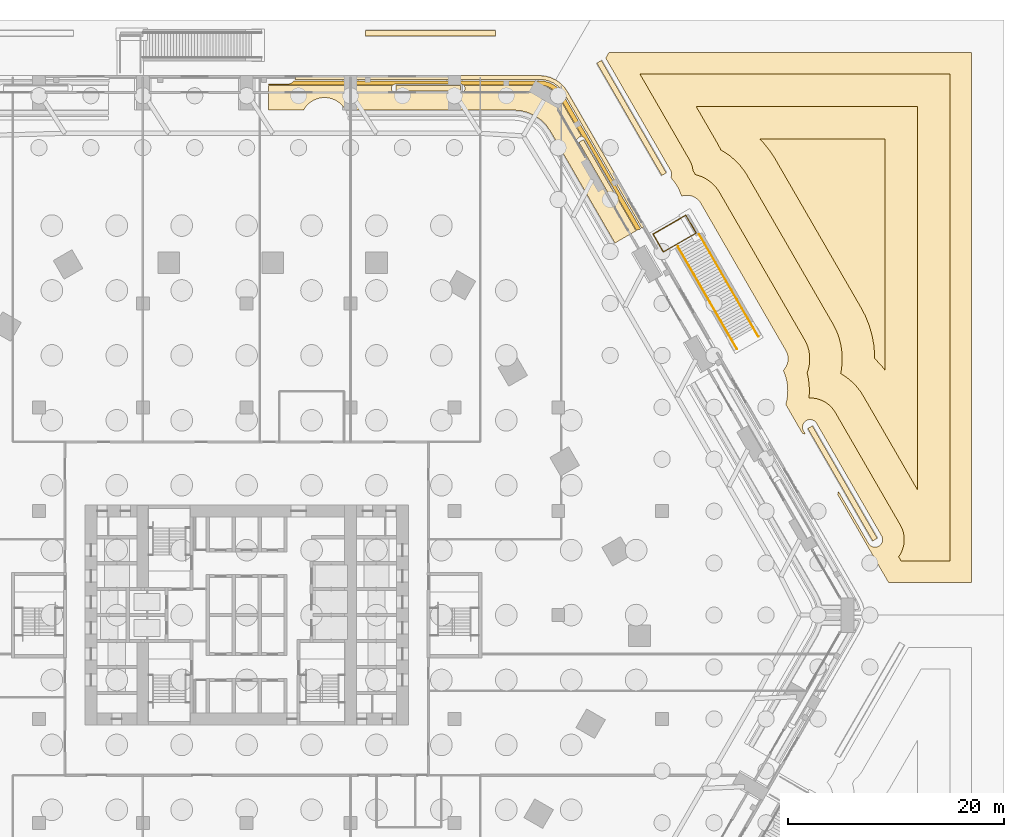
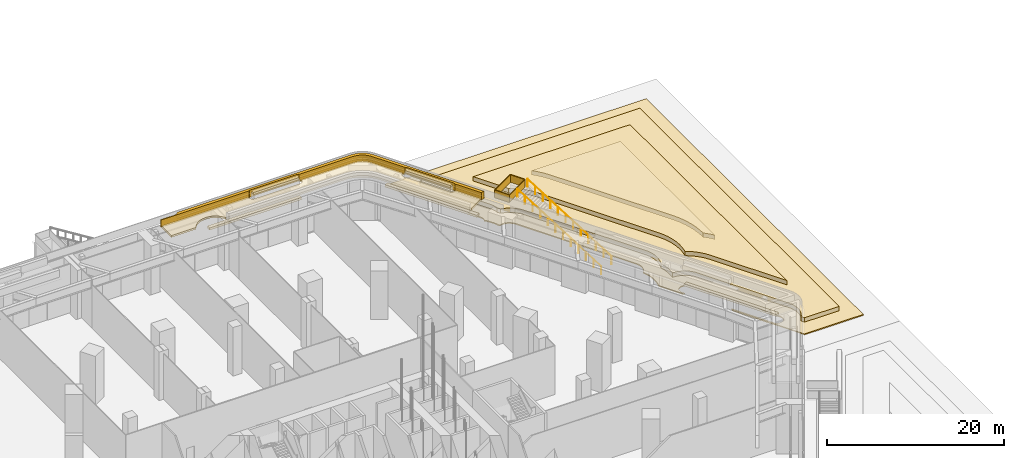
# One storey, part 67 of 68: 12 coverings, 3 railings.
"""IFC4 building model written with IfcOpenShell, lengths in metres."""

from ifc_helpers import new_model, si_unit, direction, frame, frame_2d, origin, origin_2d, place, context, subcontext, project, spatial, polyline, rectangle, circle, outline, extrude, material, layer, layer_set, type_object, element, save


model = new_model("IFC4")

# Units and contexts
model_context = context("Model", 3, precision=1e-05, world=origin(), true_north=direction((0.0, 1.0)))
body_context = subcontext(model_context, "Body", "Model", "MODEL_VIEW")
ifc_project = project(units=[si_unit("LENGTHUNIT", "METRE"), si_unit("AREAUNIT", "SQUARE_METRE"), si_unit("VOLUMEUNIT", "CUBIC_METRE"), si_unit("PLANEANGLEUNIT", "RADIAN"), si_unit("MASSUNIT", "GRAM", prefix="KILO")], contexts=[model_context])

# Site, building, storey
site_placement = place(None, origin())
site = spatial("IfcSite", under=ifc_project, at=site_placement, CompositionType="ELEMENT")
building_placement = place(site_placement, origin())
building = spatial("IfcBuilding", under=site, at=building_placement, Name="Kolab Exchange Tower", CompositionType="ELEMENT")
storey_placement = place(building_placement, origin())
storey = spatial("IfcBuildingStorey", under=building, at=storey_placement, Name="L00", CompositionType="ELEMENT", Elevation=0.0)

# Coverings
ifc_material_1 = material(Name="Planting soil and turf", Category="soil")
ifc_layer_1 = layer(ifc_material_1, 0.60009765625)
ifc_layer_set_1 = layer_set([ifc_layer_1], Name="Planting soil and turf")
covering_type_1 = type_object("IfcCoveringType", Name="GARDEN TERRACE STEP SOIL AND TURF 600", PredefinedType="USERDEFINED", material=ifc_layer_set_1)
covering_1_placement = place(storey_placement, frame((0.0, 0.0, 0.14990234375)))
element("IfcCovering", 1, at=covering_1_placement, inside=storey, type_object=covering_type_1, Name="Garden terrace step", ObjectType="PLANTING", PredefinedType="USERDEFINED", context=body_context, shape_type="SweptSolid", body=[
    extrude(outline(polyline([(36.353515625, 50.0), (65.0, 50.0), (65.0, 5.0), (60.48681640625, 5.0), (60.262939453125, 5.3876953125), (60.372314453125, 5.5458984375), (60.501220703125, 5.777587890625), (60.606689453125, 6.02099609375), (60.687744140625, 6.2734375), (60.743896484375, 6.53271484375), (60.774169921875, 6.796142578125), (60.778564453125, 7.061279296875), (60.7568359375, 7.32568359375), (60.709228515625, 7.586669921875), (60.636474609375, 7.841552734375), (60.5390625, 8.088134765625), (60.4404296875, 8.280517578125), (54.39111328125, 18.7578125), (54.274169921875, 18.939453125), (54.109375, 19.14697265625), (53.9248046875, 19.337646484375), (53.72265625, 19.50927734375), (53.504638671875, 19.66015625), (53.272705078125, 19.7890625), (53.029541015625, 19.89453125), (52.77685546875, 19.9755859375), (52.517822265625, 20.031494140625), (52.254150390625, 20.061767578125), (51.989013671875, 20.066162109375), (51.979736328125, 20.0654296875), (51.984619140625, 20.09716796875), (52.015869140625, 20.734619140625), (51.984619140625, 21.3720703125), (51.890869140625, 22.003173828125), (51.79443359375, 22.387939453125), (51.822021484375, 22.45166015625), (51.92724609375, 22.77880859375), (51.999755859375, 23.11474609375), (52.0390625, 23.456298828125), (52.044677734375, 23.7998046875), (52.0166015625, 24.142333984375), (51.955078125, 24.48046875), (51.860595703125, 24.81103515625), (51.734375, 25.130859375), (51.599853515625, 25.392822265625), (50.375244140625, 27.513671875), (44.917724609375, 36.96630859375), (43.690673828125, 39.091796875), (43.531005859375, 39.33935546875), (43.3173828125, 39.6083984375), (43.078369140625, 39.85546875), (42.816162109375, 40.077880859375), (42.53369140625, 40.2734375), (42.233154296875, 40.4404296875), (41.917724609375, 40.5771484375), (41.590576171875, 40.682373046875), (41.481201171875, 40.705810546875), (41.320068359375, 40.974853515625), (41.260498046875, 41.054931640625), (41.2568359375, 41.1005859375), (41.209228515625, 41.361572265625), (41.136474609375, 41.61669921875), (41.0390625, 41.86328125), (40.9404296875, 42.055419921875), (36.353515625, 50.0)])), origin(), (0.0, 0.0, 1.0), 0.60009765625),
])
covering_2_placement = place(storey_placement, frame((0.0, 0.0, 0.75)))
element("IfcCovering", 2, at=covering_2_placement, inside=storey, type_object=covering_type_1, Name="Garden terrace step", ObjectType="PLANTING", PredefinedType="USERDEFINED", context=body_context, shape_type="SweptSolid", body=[
    extrude(outline(polyline([(41.549560546875, 47.0), (62.0, 47.0), (62.0, 11.578857421875), (56.952392578125, 20.321533203125), (56.715576171875, 20.68896484375), (56.367431640625, 21.12744140625), (55.97802734375, 21.52978515625), (55.551025390625, 21.89208984375), (55.090576171875, 22.2109375), (54.89697265625, 22.318603515625), (54.963134765625, 22.62548828125), (55.0361328125, 23.259765625), (55.046630859375, 23.898193359375), (54.994384765625, 24.534423828125), (54.880126953125, 25.16259765625), (54.704833984375, 25.776611328125), (54.47021484375, 26.370361328125), (54.234619140625, 26.8291015625), (52.973388671875, 29.013671875), (47.515869140625, 38.46630859375), (46.251953125, 40.655517578125), (45.972412109375, 41.0888671875), (45.57568359375, 41.5888671875), (45.131591796875, 42.047607421875), (44.644775390625, 42.460693359375), (44.11962890625, 42.82421875), (43.819091796875, 42.9912109375), (43.77490234375, 43.102783203125), (43.5751953125, 43.49169921875), (41.549560546875, 47.0)])), origin(), (0.0, 0.0, 1.0), 0.60009765625),
])
covering_3_placement = place(storey_placement, frame((0.0, 0.0, 1.35009765625)))
element("IfcCovering", 3, at=covering_3_placement, inside=storey, type_object=covering_type_1, Name="Garden terrace step", ObjectType="PLANTING", PredefinedType="USERDEFINED", context=body_context, shape_type="SweptSolid", body=[
    extrude(outline(polyline([(47.4169921875, 44.0), (59.0, 44.0), (59.0, 22.636474609375), (58.625732421875, 23.10791015625), (58.0439453125, 23.708984375), (58.048583984375, 23.996337890625), (57.972412109375, 24.926513671875), (57.805419921875, 25.8447265625), (57.549072265625, 26.741943359375), (57.2060546875, 27.60986328125), (56.86962890625, 28.26513671875), (55.5712890625, 30.513671875), (50.11376953125, 39.96630859375), (48.813232421875, 42.21923828125), (48.4140625, 42.83837890625), (47.833740234375, 43.5693359375), (47.4169921875, 44.0)])), origin(), (0.0, 0.0, 1.0), 0.599853515625),
])

# Railings
ifc_material_2 = material(Name="Steel S235", Category="steel")
railing_type = type_object("IfcRailingType", Name="GUARD 1100 GLASS BALUSTRADE AND STEEL TOP RAIL", PredefinedType="GUARDRAIL", material=ifc_material_2)
railing_1_placement = place(storey_placement, frame((45.317626953125, 24.59375, 0.175048828125)))
element("IfcRailing", 4, at=railing_1_placement, inside=storey, type_object=railing_type, Name="Stair guard", PredefinedType="GUARDRAIL", context=body_context, shape_type="SweptSolid", body=[
    extrude(circle(Radius=0.02490234375, at=origin_2d()), frame((0.0, 0.0, 1.0751953125), z_axis=(-0.423996697712, 0.73439170464, 0.52999587214), x_axis=(-0.866027727466, -0.499995975244, 0.0)), (0.0, 0.0, 1.0), 12.87744140625),
    extrude(circle(Radius=0.02001953125, at=origin_2d()), origin(), (0.0, 0.0, 1.0), 1.050048828125),
    extrude(circle(Radius=0.02001953125, at=origin_2d()), frame((-0.496337890625, 0.859619140625, 0.620361328125)), (0.0, 0.0, 1.0), 1.050048828125),
    extrude(circle(Radius=0.02001953125, at=origin_2d()), frame((-0.99267578125, 1.719482421875, 1.240966796875)), (0.0, 0.0, 1.0), 1.050048828125),
    extrude(circle(Radius=0.02001953125, at=origin_2d()), frame((-1.489013671875, 2.5791015625, 1.861328125)), (0.0, 0.0, 1.0), 1.050048828125),
    extrude(circle(Radius=0.02001953125, at=origin_2d()), frame((-1.9853515625, 3.43896484375, 2.481689453125)), (0.0, 0.0, 1.0), 1.050048828125),
    extrude(circle(Radius=0.02001953125, at=origin_2d()), frame((-2.481689453125, 4.298583984375, 3.102294921875)), (0.0, 0.0, 1.0), 1.050048828125),
    extrude(circle(Radius=0.02001953125, at=origin_2d()), frame((-2.978271484375, 5.158447265625, 3.72265625)), (0.0, 0.0, 1.0), 1.050048828125),
    extrude(circle(Radius=0.02001953125, at=origin_2d()), frame((-3.474609375, 6.01806640625, 4.34326171875)), (0.0, 0.0, 1.0), 1.050048828125),
    extrude(circle(Radius=0.02001953125, at=origin_2d()), frame((-3.970947265625, 6.8779296875, 4.963623046875)), (0.0, 0.0, 1.0), 1.050048828125),
    extrude(circle(Radius=0.02001953125, at=origin_2d()), frame((-4.46728515625, 7.737548828125, 5.583984375)), (0.0, 0.0, 1.0), 1.050048828125),
    extrude(circle(Radius=0.02001953125, at=origin_2d()), frame((-4.963623046875, 8.597412109375, 6.20458984375)), (0.0, 0.0, 1.0), 1.050048828125),
    extrude(circle(Radius=0.02001953125, at=origin_2d()), frame((-5.4599609375, 9.45703125, 6.824951171875)), (0.0, 0.0, 1.0), 1.050048828125),
])
railing_2_placement = place(storey_placement, frame((47.292236328125, 25.733642578125, 0.175048828125)))
element("IfcRailing", 5, at=railing_2_placement, inside=storey, type_object=railing_type, Name="Stair guard", PredefinedType="GUARDRAIL", context=body_context, shape_type="SweptSolid", body=[
    extrude(circle(Radius=0.02490234375, at=origin_2d()), frame((0.0, 0.0, 1.0751953125), z_axis=(-0.424012248117, 0.734385801165, 0.52999161172), x_axis=(-0.866018046521, -0.500012742938, 0.0)), (0.0, 0.0, 1.0), 12.87744140625),
    extrude(circle(Radius=0.02001953125, at=origin_2d()), origin(), (0.0, 0.0, 1.0), 1.050048828125),
    extrude(circle(Radius=0.02001953125, at=origin_2d()), frame((-0.496337890625, 0.859619140625, 0.620361328125)), (0.0, 0.0, 1.0), 1.050048828125),
    extrude(circle(Radius=0.02001953125, at=origin_2d()), frame((-0.99267578125, 1.719482421875, 1.240966796875)), (0.0, 0.0, 1.0), 1.050048828125),
    extrude(circle(Radius=0.02001953125, at=origin_2d()), frame((-1.4892578125, 2.5791015625, 1.861328125)), (0.0, 0.0, 1.0), 1.050048828125),
    extrude(circle(Radius=0.02001953125, at=origin_2d()), frame((-1.985595703125, 3.43896484375, 2.481689453125)), (0.0, 0.0, 1.0), 1.050048828125),
    extrude(circle(Radius=0.02001953125, at=origin_2d()), frame((-2.48193359375, 4.298583984375, 3.102294921875)), (0.0, 0.0, 1.0), 1.050048828125),
    extrude(circle(Radius=0.02001953125, at=origin_2d()), frame((-2.978271484375, 5.158447265625, 3.72265625)), (0.0, 0.0, 1.0), 1.050048828125),
    extrude(circle(Radius=0.02001953125, at=origin_2d()), frame((-3.474609375, 6.01806640625, 4.34326171875)), (0.0, 0.0, 1.0), 1.050048828125),
    extrude(circle(Radius=0.02001953125, at=origin_2d()), frame((-3.970947265625, 6.8779296875, 4.963623046875)), (0.0, 0.0, 1.0), 1.050048828125),
    extrude(circle(Radius=0.02001953125, at=origin_2d()), frame((-4.467529296875, 7.737548828125, 5.583984375)), (0.0, 0.0, 1.0), 1.050048828125),
    extrude(circle(Radius=0.02001953125, at=origin_2d()), frame((-4.9638671875, 8.597412109375, 6.20458984375)), (0.0, 0.0, 1.0), 1.050048828125),
    extrude(circle(Radius=0.02001953125, at=origin_2d()), frame((-5.460205078125, 9.45703125, 6.824951171875)), (0.0, 0.0, 1.0), 1.050048828125),
])
railing_3_placement = place(storey_placement, frame((37.5615234375, 35.207763671875, 7.0)))
element("IfcRailing", 6, at=railing_3_placement, inside=storey, type_object=railing_type, Name="Landing guard", PredefinedType="GUARDRAIL", context=body_context, shape_type="SweptSolid", body=[
    extrude(rectangle(XDim=0.05, YDim=0.05, at=origin_2d()), frame((0.0, 0.0, 1.0751953125), z_axis=(0.866019471182, 0.500010275428, 0.0), x_axis=(-0.500010275428, 0.866019471182, 0.0)), (0.0, 0.0, 1.0), 3.5),
    extrude(rectangle(XDim=0.012, YDim=1.05009765625, at=frame_2d((0.0, 0.525146484375))), frame((0.0, 0.0, 0.0), z_axis=(0.866019471182, 0.500010275428, 0.0), x_axis=(-0.500010275428, 0.866019471182, 0.0)), (0.0, 0.0, 1.0), 3.5),
    extrude(rectangle(XDim=0.05, YDim=0.05, at=origin_2d()), frame((3.031005859375, 1.75, 1.0751953125), z_axis=(0.50002564956, -0.866010594497, 0.0), x_axis=(0.866010594497, 0.50002564956, 0.0)), (0.0, 0.0, 1.0), 1.9052734375),
    extrude(rectangle(XDim=0.012, YDim=1.05009765625, at=frame_2d((0.0, 0.525146484375))), frame((3.031005859375, 1.75, 0.0), z_axis=(0.50002564956, -0.866010594497, 0.0), x_axis=(0.866010594497, 0.50002564956, 0.0)), (0.0, 0.0, 1.0), 1.9052734375),
    extrude(rectangle(XDim=0.05, YDim=0.05, at=origin_2d()), frame((3.983642578125, 0.10009765625, 1.0751953125), z_axis=(-0.866036909293, -0.499980071345, 0.0), x_axis=(0.499980071345, -0.866036909293, 0.0)), (0.0, 0.0, 1.0), 3.500244140625),
    extrude(rectangle(XDim=0.012, YDim=1.05009765625, at=frame_2d((0.0, 0.525146484375))), frame((3.983642578125, 0.10009765625, 0.0), z_axis=(-0.866036909293, -0.499980071345, 0.0), x_axis=(0.499980071345, -0.866036909293, 0.0)), (0.0, 0.0, 1.0), 3.500244140625),
    extrude(rectangle(XDim=0.05, YDim=0.05, at=origin_2d()), frame((0.952392578125, -1.64990234375, 1.0751953125), z_axis=(-0.499929534118, 0.866066083458, 0.0), x_axis=(-0.866066083458, -0.499929534118, 0.0)), (0.0, 0.0, 1.0), 1.905029296875),
    extrude(rectangle(XDim=0.012, YDim=1.05009765625, at=frame_2d((0.0, 0.525146484375))), frame((0.952392578125, -1.64990234375, 0.0), z_axis=(-0.499929534118, 0.866066083458, 0.0), x_axis=(-0.866066083458, -0.499929534118, 0.0)), (0.0, 0.0, 1.0), 1.905029296875),
])

# Coverings
ifc_layer_2 = layer(ifc_material_1, 0.25)
ifc_layer_set_2 = layer_set([ifc_layer_2], Name="Planting soil and turf")
covering_type_2 = type_object("IfcCoveringType", Name="PLANTING SOIL AND TURF 250", PredefinedType="USERDEFINED", material=ifc_layer_set_2)
covering_4_placement = place(storey_placement, frame((0.0, 0.0, 7.0)))
element("IfcCovering", 7, at=covering_4_placement, inside=storey, type_object=covering_type_2, Name="Planting soil and turf", ObjectType="PLANTING", PredefinedType="USERDEFINED", context=body_context, shape_type="SweptSolid", body=[
    extrude(outline(polyline([(13.47021484375, 48.93310546875), (13.449462890625, 48.9052734375), (13.429443359375, 48.87158203125), (13.41259765625, 48.836181640625), (13.3994140625, 48.799072265625), (13.389892578125, 48.760986328125), (13.384033203125, 48.72216796875), (13.382080078125, 48.68310546875), (13.384033203125, 48.643798828125), (13.389892578125, 48.60498046875), (13.3994140625, 48.56689453125), (13.41259765625, 48.530029296875), (13.429443359375, 48.494384765625), (13.449462890625, 48.4609375), (13.472900390625, 48.42919921875), (13.499267578125, 48.400146484375), (13.5283203125, 48.373779296875), (13.559814453125, 48.3505859375), (13.593505859375, 48.330322265625), (13.629150390625, 48.3134765625), (13.666015625, 48.30029296875), (13.7041015625, 48.290771484375), (13.742919921875, 48.284912109375), (13.7822265625, 48.282958984375), (19.7822265625, 48.282958984375), (19.8212890625, 48.284912109375), (19.860107421875, 48.290771484375), (19.898193359375, 48.30029296875), (19.935302734375, 48.3134765625), (19.970703125, 48.330322265625), (20.00439453125, 48.3505859375), (20.035888671875, 48.373779296875), (20.06494140625, 48.400146484375), (20.09130859375, 48.42919921875), (20.11474609375, 48.4609375), (20.135009765625, 48.494384765625), (20.151611328125, 48.530029296875), (20.164794921875, 48.56689453125), (20.174560546875, 48.60498046875), (20.18017578125, 48.643798828125), (20.18212890625, 48.68310546875), (20.18017578125, 48.72216796875), (20.174560546875, 48.760986328125), (20.164794921875, 48.799072265625), (20.151611328125, 48.836181640625), (20.135009765625, 48.87158203125), (20.11474609375, 48.9052734375), (20.09423828125, 48.93310546875), (27.0263671875, 48.93310546875), (27.42333984375, 48.8984375), (27.767822265625, 48.805908203125), (28.091064453125, 48.6552734375), (28.38330078125, 48.45068359375), (28.635498046875, 48.198486328125), (28.864013671875, 47.8720703125), (30.976806640625, 44.212646484375), (30.9423828125, 44.216552734375), (30.9033203125, 44.21728515625), (30.864013671875, 44.214111328125), (30.825439453125, 44.20703125), (30.787841796875, 44.1962890625), (30.751220703125, 44.181884765625), (30.71630859375, 44.163818359375), (30.683349609375, 44.142578125), (30.652587890625, 44.1181640625), (30.624267578125, 44.091064453125), (30.598876953125, 44.06103515625), (30.57666015625, 44.02880859375), (30.5576171875, 43.994384765625), (30.5419921875, 43.95849609375), (30.530029296875, 43.921142578125), (30.521728515625, 43.882568359375), (30.51708984375, 43.84375), (30.5166015625, 43.804443359375), (30.519775390625, 43.765380859375), (30.52685546875, 43.7265625), (30.53759765625, 43.68896484375), (30.552001953125, 43.65234375), (30.56982421875, 43.617431640625), (33.56982421875, 38.42138671875), (33.591064453125, 38.388427734375), (33.615478515625, 38.357666015625), (33.642822265625, 38.329345703125), (33.6728515625, 38.303955078125), (33.705078125, 38.28173828125), (33.739501953125, 38.2626953125), (33.775390625, 38.2470703125), (33.812744140625, 38.235107421875), (33.85107421875, 38.226806640625), (33.89013671875, 38.22216796875), (33.929443359375, 38.2216796875), (33.968505859375, 38.224853515625), (34.007080078125, 38.231689453125), (34.044921875, 38.24267578125), (34.081298828125, 38.257080078125), (34.1162109375, 38.27490234375), (34.1494140625, 38.296142578125), (34.179931640625, 38.320556640625), (34.208251953125, 38.347900390625), (34.233642578125, 38.3779296875), (34.256103515625, 38.41015625), (34.275146484375, 38.4443359375), (34.288818359375, 38.47607421875), (35.997314453125, 35.51708984375), (34.042724609375, 34.388671875), (28.068115234375, 44.737060546875), (27.696533203125, 45.267578125), (27.209228515625, 45.7548828125), (26.644775390625, 46.150146484375), (26.020263671875, 46.44140625), (25.3544921875, 46.61962890625), (24.70947265625, 46.676025390625), (9.132568359375, 46.676025390625), (9.029296875, 46.848388671875), (8.900634765625, 47.021728515625), (8.755615234375, 47.181884765625), (8.595703125, 47.32666015625), (8.42236328125, 47.455322265625), (8.237060546875, 47.56640625), (8.0419921875, 47.65869140625), (7.838623046875, 47.7314453125), (7.629150390625, 47.783935546875), (7.41552734375, 47.8154296875), (7.199951171875, 47.826171875), (6.984375, 47.8154296875), (6.770751953125, 47.783935546875), (6.561279296875, 47.7314453125), (6.358154296875, 47.65869140625), (6.162841796875, 47.56640625), (5.977783203125, 47.455322265625), (5.804443359375, 47.32666015625), (5.644287109375, 47.181884765625), (5.499267578125, 47.021728515625), (5.370849609375, 46.848388671875), (5.267578125, 46.676025390625), (2.0400390625, 46.676025390625), (2.0400390625, 48.93310546875), (13.47021484375, 48.93310546875)])), origin(), (0.0, 0.0, 1.0), 0.25),
])
covering_5_placement = place(storey_placement, frame((0.0, 0.0, 7.699951171875)))
element("IfcCovering", 8, at=covering_5_placement, inside=storey, type_object=covering_type_2, Name="Planting soil and turf", ObjectType="PLANTING", PredefinedType="USERDEFINED", context=body_context, shape_type="SweptSolid", body=[
    extrude(outline(polyline([(19.7822265625, 48.923095703125), (19.7822265625, 48.443115234375), (13.7822265625, 48.443115234375), (13.7822265625, 48.923095703125), (19.7822265625, 48.923095703125)])), origin(), (0.0, 0.0, 1.0), 0.300048828125),
])
covering_6_placement = place(storey_placement, frame((0.0, 0.0, 7.699951171875)))
element("IfcCovering", 9, at=covering_6_placement, inside=storey, type_object=covering_type_2, Name="Planting soil and turf", ObjectType="PLANTING", PredefinedType="USERDEFINED", context=body_context, shape_type="SweptSolid", body=[
    extrude(outline(polyline([(34.123779296875, 38.7412109375), (33.7080078125, 38.501220703125), (30.7080078125, 43.697265625), (31.123779296875, 43.937255859375), (34.123779296875, 38.7412109375)])), origin(), (0.0, 0.0, 1.0), 0.300048828125),
])
covering_7_placement = place(storey_placement, frame((0.0, 0.0, 0.699951171875)))
element("IfcCovering", 10, at=covering_7_placement, inside=storey, type_object=covering_type_2, Name="Planting soil and turf", ObjectType="PLANTING", PredefinedType="USERDEFINED", context=body_context, shape_type="SweptSolid", body=[
    extrude(outline(polyline([(23.0, 54.02294921875), (23.0, 53.54296875), (11.0, 53.54296875), (11.0, 54.02294921875), (23.0, 54.02294921875)])), origin(), (0.0, 0.0, 1.0), 0.300048828125),
])
covering_8_placement = place(storey_placement, frame((0.0, 0.0, 0.699951171875)))
element("IfcCovering", 11, at=covering_8_placement, inside=storey, type_object=covering_type_2, Name="Planting soil and turf", ObjectType="PLANTING", PredefinedType="USERDEFINED", context=body_context, shape_type="SweptSolid", body=[
    extrude(outline(polyline([(58.285400390625, 7.093017578125), (57.86962890625, 6.85302734375), (51.86962890625, 17.245361328125), (52.285400390625, 17.4853515625), (58.285400390625, 7.093017578125)])), origin(), (0.0, 0.0, 1.0), 0.300048828125),
])
covering_9_placement = place(storey_placement, frame((0.0, 0.0, 0.699951171875)))
element("IfcCovering", 12, at=covering_9_placement, inside=storey, type_object=covering_type_2, Name="Planting soil and turf", ObjectType="PLANTING", PredefinedType="USERDEFINED", context=body_context, shape_type="SweptSolid", body=[
    extrude(outline(polyline([(38.785400390625, 40.867919921875), (38.36962890625, 40.6279296875), (32.36962890625, 51.020263671875), (32.785400390625, 51.26025390625), (38.785400390625, 40.867919921875)])), origin(), (0.0, 0.0, 1.0), 0.300048828125),
])
covering_10_placement = place(storey_placement, origin())
element("IfcCovering", 13, at=covering_10_placement, inside=storey, type_object=covering_type_2, Name="Planting soil and turf", ObjectType="PLANTING", PredefinedType="USERDEFINED", context=body_context, shape_type="SweptSolid", body=[
    extrude(outline(polyline([(33.486328125, 52.0), (67.0, 52.0), (67.0, 3.0), (59.33203125, 3.0), (54.6279296875, 11.147705078125), (54.69775390625, 11.4267578125), (57.47119140625, 6.623046875), (57.508544921875, 6.565185546875), (57.55126953125, 6.511474609375), (57.598876953125, 6.462158203125), (57.6513671875, 6.41748046875), (57.707763671875, 6.37841796875), (57.767822265625, 6.34521484375), (57.830810546875, 6.31787109375), (57.896240234375, 6.296875), (57.96337890625, 6.2822265625), (58.03173828125, 6.2744140625), (58.100341796875, 6.2734375), (58.1689453125, 6.279052734375), (58.236572265625, 6.291259765625), (58.302490234375, 6.31005859375), (58.366455078125, 6.33544921875), (58.427490234375, 6.36669921875), (58.4853515625, 6.404052734375), (58.5390625, 6.44677734375), (58.58837890625, 6.494384765625), (58.6328125, 6.546875), (58.671875, 6.603271484375), (58.705322265625, 6.663330078125), (58.732666015625, 6.726318359375), (58.753662109375, 6.791748046875), (58.76806640625, 6.85888671875), (58.77587890625, 6.92724609375), (58.777099609375, 6.995849609375), (58.771484375, 7.064208984375), (58.75927734375, 7.1318359375), (58.740234375, 7.197998046875), (58.715087890625, 7.261962890625), (58.683837890625, 7.322998046875), (52.683837890625, 17.71533203125), (52.646484375, 17.77294921875), (52.603759765625, 17.826904296875), (52.555908203125, 17.876220703125), (52.503662109375, 17.920654296875), (52.447265625, 17.959716796875), (52.38720703125, 17.9931640625), (52.323974609375, 18.0205078125), (52.2587890625, 18.04150390625), (52.19140625, 18.055908203125), (52.123291015625, 18.063720703125), (52.0546875, 18.06494140625), (51.986083984375, 18.059326171875), (51.91845703125, 18.046875), (51.8525390625, 18.028076171875), (51.78857421875, 18.0029296875), (51.7275390625, 17.971435546875), (51.669677734375, 17.934326171875), (51.615966796875, 17.8916015625), (51.566650390625, 17.84375), (51.522216796875, 17.79150390625), (51.483154296875, 17.73486328125), (51.44970703125, 17.6748046875), (51.42236328125, 17.61181640625), (51.4013671875, 17.54638671875), (51.386962890625, 17.479248046875), (51.37890625, 17.4111328125), (51.3779296875, 17.34228515625), (51.383544921875, 17.27392578125), (51.395751953125, 17.206298828125), (51.41455078125, 17.14013671875), (51.43994140625, 17.076416015625), (51.47119140625, 17.01513671875), (51.642333984375, 16.71875), (51.61962890625, 16.72705078125), (51.370849609375, 16.789306640625), (49.827880859375, 19.461669921875), (49.927001953125, 19.856689453125), (49.99169921875, 20.29345703125), (50.013427734375, 20.734619140625), (49.99169921875, 21.17578125), (49.927001953125, 21.612548828125), (49.819580078125, 22.040771484375), (49.6708984375, 22.456787109375), (49.594970703125, 22.6171875), (49.638916015625, 22.659912109375), (49.734130859375, 22.772216796875), (49.81787109375, 22.89306640625), (49.889404296875, 23.021728515625), (49.947998046875, 23.156982421875), (49.992919921875, 23.297119140625), (50.024169921875, 23.44091796875), (50.040771484375, 23.587158203125), (50.043212890625, 23.734375), (50.03125, 23.881103515625), (50.0048828125, 24.02587890625), (49.964599609375, 24.16748046875), (49.910400390625, 24.304443359375), (49.84326171875, 24.435302734375), (48.64306640625, 26.513671875), (48.64306640625, 26.513671875), (48.64306640625, 26.513671875), (43.185546875, 35.96630859375), (43.185546875, 35.96630859375), (41.983154296875, 38.04931640625), (41.9033203125, 38.1728515625), (41.811767578125, 38.288330078125), (41.70947265625, 38.39404296875), (41.59716796875, 38.4892578125), (41.476318359375, 38.572998046875), (41.34765625, 38.64453125), (41.21240234375, 38.703125), (41.072265625, 38.748046875), (40.928466796875, 38.779052734375), (40.7822265625, 38.7958984375), (40.635009765625, 38.79833984375), (40.48828125, 38.786376953125), (40.343505859375, 38.760009765625), (40.201904296875, 38.719482421875), (40.201416015625, 38.719482421875), (40.07080078125, 39.08447265625), (39.882080078125, 39.483642578125), (39.655029296875, 39.8623046875), (39.391845703125, 40.217041015625), (39.199951171875, 40.4287109375), (39.205322265625, 40.438232421875), (39.232666015625, 40.50146484375), (39.253662109375, 40.566650390625), (39.26806640625, 40.6337890625), (39.27587890625, 40.7021484375), (39.277099609375, 40.770751953125), (39.271484375, 40.83935546875), (39.25927734375, 40.906982421875), (39.240234375, 40.972900390625), (39.215087890625, 41.036865234375), (39.183837890625, 41.097900390625), (33.187744140625, 51.483154296875), (33.486328125, 52.0)])), origin(), (0.0, 0.0, 1.0), 0.14990234375),
])
ifc_material_3 = material(Name="Limestone coping", Category="masonry")
ifc_layer_3 = layer(ifc_material_3, 0.050048828125)
ifc_layer_set_3 = layer_set([ifc_layer_3], Name="Limestone coping")
covering_type_3 = type_object("IfcCoveringType", Name="TERRACE EDGE BAND LIMESTONE 50", PredefinedType="CLADDING", material=ifc_layer_set_3)
covering_11_placement = place(storey_placement, frame((0.0, 0.0, 7.0)))
element("IfcCovering", 14, at=covering_11_placement, inside=storey, type_object=covering_type_3, Name="Terrace edge band", PredefinedType="CLADDING", context=body_context, shape_type="SweptSolid", body=[
    extrude(outline(polyline([(27.067138671875, 49.863037109375), (27.58544921875, 49.817626953125), (28.087158203125, 49.683349609375), (28.557861328125, 49.4638671875), (28.9833984375, 49.165771484375), (29.3505859375, 48.798583984375), (29.649169921875, 48.372314453125), (36.80322265625, 35.981201171875), (36.75390625, 35.949462890625), (36.692626953125, 35.900634765625), (36.63623046875, 35.845947265625), (36.585205078125, 35.7861328125), (36.545166015625, 35.72802734375), (29.353759765625, 48.18408203125), (29.08154296875, 48.57275390625), (28.757568359375, 48.896728515625), (28.38232421875, 49.159423828125), (27.967041015625, 49.35302734375), (27.5244140625, 49.4716796875), (27.0517578125, 49.51318359375), (4.468994140625, 49.51318359375), (4.4990234375, 49.576904296875), (4.525634765625, 49.65087890625), (4.544677734375, 49.72705078125), (4.55615234375, 49.8046875), (4.55908203125, 49.863037109375), (27.067138671875, 49.863037109375)])), origin(), (0.0, 0.0, 1.0), 0.050048828125),
])
ifc_material_4 = material(Name="Terrace hedge planting", Category="soil")
ifc_layer_4 = layer(ifc_material_4, 1.0)
ifc_layer_set_4 = layer_set([ifc_layer_4], Name="Terrace hedge planting")
covering_type_4 = type_object("IfcCoveringType", Name="TERRACE HEDGE 1000 X 400", PredefinedType="USERDEFINED", material=ifc_layer_set_4)
covering_12_placement = place(storey_placement, frame((0.0, 0.0, 7.0)))
element("IfcCovering", 15, at=covering_12_placement, inside=storey, type_object=covering_type_4, Name="Terrace hedge", ObjectType="PLANTING", PredefinedType="USERDEFINED", context=body_context, shape_type="SweptSolid", body=[
    extrude(outline(polyline([(27.046142578125, 49.383056640625), (27.501708984375, 49.34326171875), (27.92236328125, 49.23046875), (28.31689453125, 49.04638671875), (28.673583984375, 48.796630859375), (28.981689453125, 48.48876953125), (29.243896484375, 48.1142578125), (36.429443359375, 35.66845703125), (36.37353515625, 35.663818359375), (36.296142578125, 35.64990234375), (36.220703125, 35.628173828125), (36.147705078125, 35.599365234375), (36.077880859375, 35.5634765625), (36.04052734375, 35.5419921875), (34.30810546875, 38.542724609375), (34.31103515625, 38.55615234375), (34.3154296875, 38.59521484375), (34.316162109375, 38.634521484375), (34.31298828125, 38.673583984375), (34.305908203125, 38.712158203125), (34.295166015625, 38.75), (34.28076171875, 38.786376953125), (34.2626953125, 38.8212890625), (31.2626953125, 44.017578125), (31.241455078125, 44.050537109375), (31.217041015625, 44.081298828125), (31.189697265625, 44.109375), (31.159912109375, 44.134765625), (31.12744140625, 44.1572265625), (31.09326171875, 44.17626953125), (31.05712890625, 44.19189453125), (31.044189453125, 44.196044921875), (28.90625, 47.89892578125), (28.674072265625, 48.230712890625), (28.41552734375, 48.489013671875), (28.1162109375, 48.69873046875), (27.784912109375, 48.853271484375), (27.43212890625, 48.94775390625), (27.028564453125, 48.983154296875), (20.046142578125, 48.983154296875), (20.035888671875, 48.9921875), (20.00439453125, 49.015625), (19.970703125, 49.035888671875), (19.935302734375, 49.052734375), (19.898193359375, 49.06591796875), (19.860107421875, 49.075439453125), (19.8212890625, 49.0810546875), (19.7822265625, 49.0830078125), (13.7822265625, 49.0830078125), (13.742919921875, 49.0810546875), (13.7041015625, 49.075439453125), (13.666015625, 49.06591796875), (13.629150390625, 49.052734375), (13.593505859375, 49.035888671875), (13.559814453125, 49.015625), (13.5283203125, 48.9921875), (13.518310546875, 48.983154296875), (2.0400390625, 48.983154296875), (2.0400390625, 49.026123046875), (2.037109375, 49.0830078125), (3.760009765625, 49.0830078125), (3.83837890625, 49.0869140625), (3.916015625, 49.098388671875), (3.9921875, 49.117431640625), (4.066162109375, 49.14404296875), (4.13720703125, 49.177490234375), (4.204345703125, 49.2177734375), (4.267578125, 49.2646484375), (4.32568359375, 49.3173828125), (4.37841796875, 49.37548828125), (4.384033203125, 49.383056640625), (27.046142578125, 49.383056640625)])), origin(), (0.0, 0.0, 1.0), 1.0),
])

save(model, "model.ifc")
